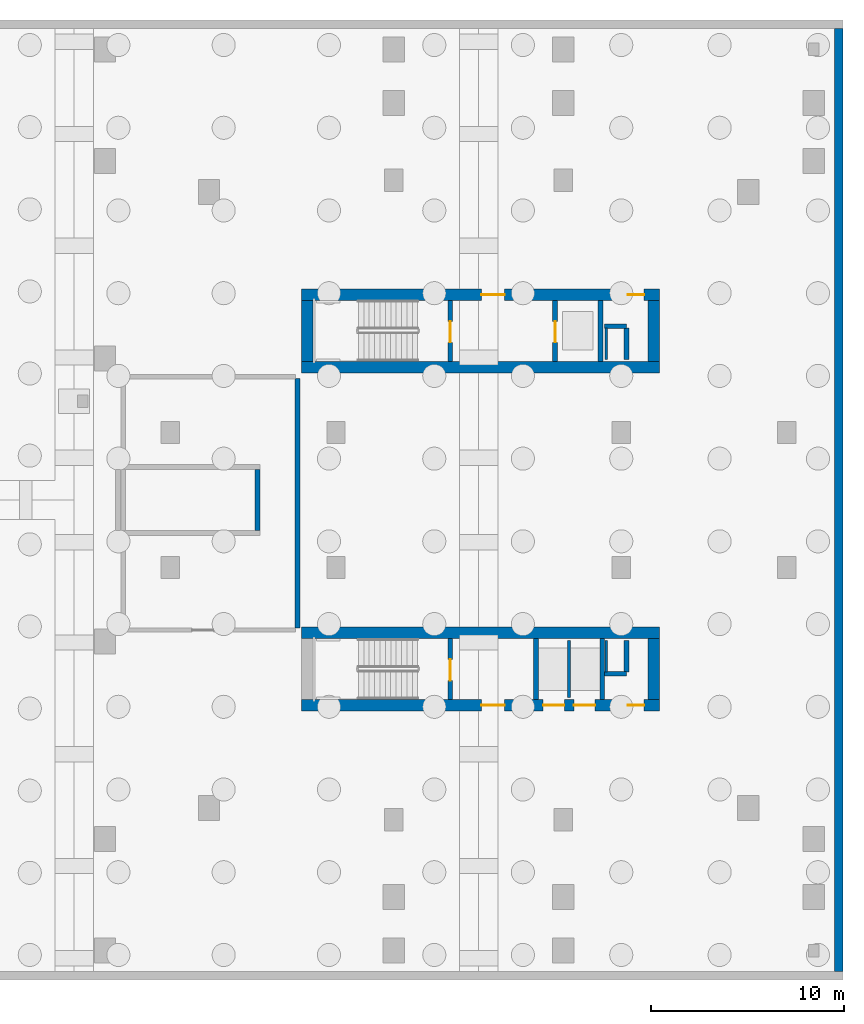
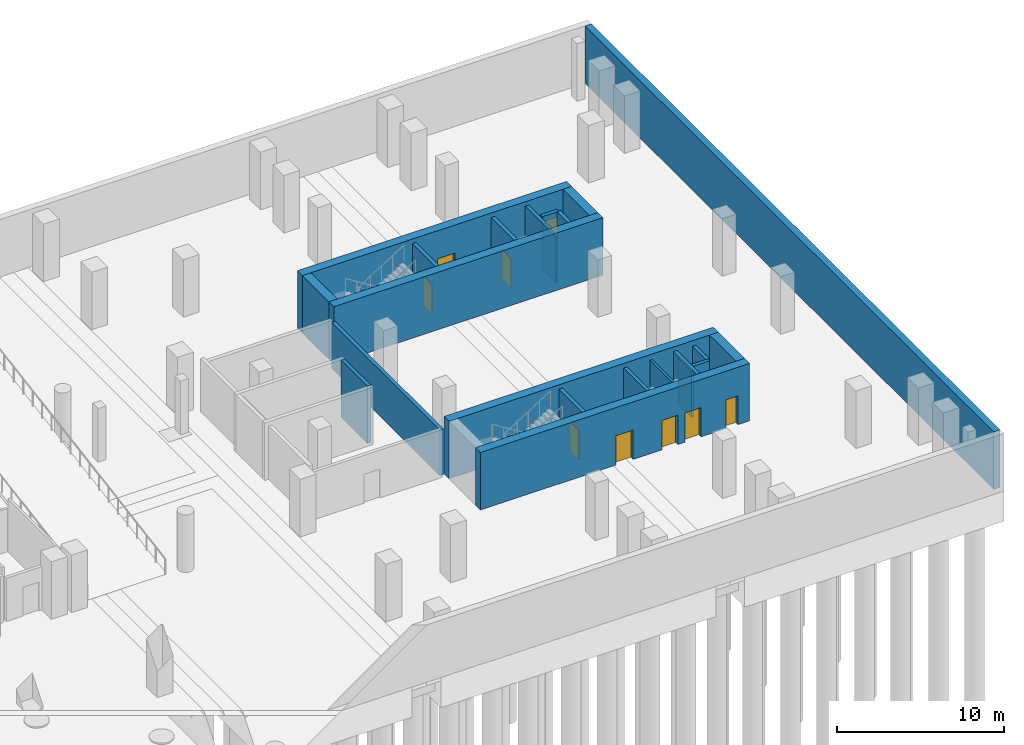
# One storey, part 8 of 14: 23 walls, 9 doors, 9 openings.
"""IFC4 building model written with IfcOpenShell, lengths in metres."""

from ifc_helpers import new_model, si_unit, derived_unit, direction, frame, frame_2d, origin, place, context, subcontext, project, spatial, rectangle, extrude, material, layer, layer_set, type_object, element, fill, save


model = new_model("IFC4")

# Units and contexts
model_context = context("Model", 3, precision=1e-05, world=origin(), true_north=direction((0.0, 1.0)))
body_context = subcontext(model_context, "Body", "Model", "MODEL_VIEW")
ifc_project = project(units=[si_unit("LENGTHUNIT", "METRE"), si_unit("AREAUNIT", "SQUARE_METRE"), si_unit("VOLUMEUNIT", "CUBIC_METRE"), si_unit("PLANEANGLEUNIT", "RADIAN"), si_unit("MASSUNIT", "GRAM", prefix="KILO"), derived_unit("THERMALTRANSMITTANCEUNIT", [(si_unit("POWERUNIT", "WATT"), 1), (si_unit("LENGTHUNIT", "METRE"), -2), (si_unit("THERMODYNAMICTEMPERATUREUNIT", "KELVIN"), -1)])], contexts=[model_context])

# Site, building, storey
site_placement = place(None, origin())
site = spatial("IfcSite", under=ifc_project, at=site_placement, CompositionType="ELEMENT")
building_placement = place(site_placement, origin())
building = spatial("IfcBuilding", under=site, at=building_placement, Name="Kivonza Crest Hotel", CompositionType="ELEMENT")
storey_placement = place(building_placement, frame((0.0, 0.0, -8.39990234375)))
storey = spatial("IfcBuildingStorey", under=building, at=storey_placement, Name="B2", CompositionType="ELEMENT", Elevation=-8.39990234375)

# Wall
ifc_material_1 = material(Name="Concrete C60/75", Category="concrete")
ifc_layer_1 = layer(ifc_material_1, 0.60009765625)
ifc_layer_set_1 = layer_set([ifc_layer_1], Name="Concrete C60/75")
wall_type_1 = type_object("IfcWallType", Name="WL-CORE-600", PredefinedType="SHEAR", material=ifc_layer_set_1)
wall_1_placement = place(storey_placement, frame((67.800048828125, 31.89990234375, 0.0), z_axis=(0.0, 0.0, 1.0), x_axis=(1.0, 0.0, 0.0)))
element("IfcWall", 1, at=wall_1_placement, inside=storey, type_object=wall_type_1, Name="Core wall T2-N South B2", PredefinedType="SHEAR", context=body_context, shape_type="SweptSolid", body=[
    extrude(rectangle(XDim=18.599853515625, YDim=0.60009765625, at=frame_2d((9.2998046875, 0.0))), origin(), (0.0, 0.0, 1.0), 4.199951171875),
])

# Wall, openings, doors
wall_2_placement = place(storey_placement, frame((67.800048828125, 35.659912109375, 0.0), z_axis=(0.0, 0.0, 1.0), x_axis=(1.0, 0.0, 0.0)))
wall_2 = element("IfcWall", 2, at=wall_2_placement, inside=storey, type_object=wall_type_1, Name="Core wall T2-N North B2", PredefinedType="SHEAR", context=body_context, shape_type="SweptSolid", body=[
    extrude(rectangle(XDim=18.599853515625, YDim=0.60009765625, at=frame_2d((9.2998046875, 0.0))), origin(), (0.0, 0.0, 1.0), 4.199951171875),
])
opening_1_placement = place(wall_2_placement, frame((9.35009765625, 0.0, 0.0)))
opening_1 = element("IfcOpeningElement", 3, at=opening_1_placement, cuts=wall_2, Name="Opening DF-60", PredefinedType="OPENING", context=body_context, shape_type="SweptSolid", body=[
    extrude(rectangle(XDim=1.199951171875, YDim=2.14990234375, at=frame_2d((0.60009765625, 1.074951171875))), frame((0.0, 0.31005859375, 0.0), z_axis=(0.0, -1.0, 0.0), x_axis=(1.0, 0.0, 0.0)), (0.0, 0.0, 1.0), 0.6201171875),
])
opening_2_placement = place(wall_2_placement, frame((16.949951171875, 0.0, 0.0)))
opening_2 = element("IfcOpeningElement", 4, at=opening_2_placement, cuts=wall_2, Name="Opening DF-60R", PredefinedType="OPENING", context=body_context, shape_type="SweptSolid", body=[
    extrude(rectangle(XDim=0.85009765625, YDim=2.10009765625, at=frame_2d((0.425048828125, 1.050048828125))), frame((0.0, 0.31005859375, 0.0), z_axis=(0.0, -1.0, 0.0), x_axis=(1.0, 0.0, 0.0)), (0.0, 0.0, 1.0), 0.6201171875),
])
ifc_material_2 = material(Name="Hardwood timber oak", Category="wood")
door_type_1 = type_object("IfcDoorType", Name="DR-FD60-1200", OperationType="NOTDEFINED", PredefinedType="DOOR", material=ifc_material_2)
door_1_placement = place(opening_1_placement, origin())
door_1 = element("IfcDoor", 5, at=door_1_placement, inside=storey, type_object=door_type_1, Name="B2 T2-N firefighting lobby fire door", OperationType="SINGLE_SWING_RIGHT", OverallHeight=2.14990234375, OverallWidth=1.199951171875, PredefinedType="DOOR", context=body_context, shape_type="SweptSolid", body=[
    extrude(rectangle(XDim=1.199951171875, YDim=2.14990234375, at=frame_2d((0.60009765625, 1.074951171875))), frame((0.0, 0.02490234375, 0.0), z_axis=(0.0, -1.0, 0.0), x_axis=(1.0, 0.0, 0.0)), (0.0, 0.0, 1.0), 0.050048828125),
])
fill(opening_1, door_1)
door_type_2 = type_object("IfcDoorType", Name="DR-FD60-850", OperationType="NOTDEFINED", PredefinedType="DOOR", material=ifc_material_2)
door_2_placement = place(opening_2_placement, origin())
door_2 = element("IfcDoor", 6, at=door_2_placement, inside=storey, type_object=door_type_2, Name="B2 T2-N core room door", OperationType="SINGLE_SWING_RIGHT", OverallHeight=2.10009765625, OverallWidth=0.85009765625, PredefinedType="DOOR", context=body_context, shape_type="SweptSolid", body=[
    extrude(rectangle(XDim=0.85009765625, YDim=2.10009765625, at=frame_2d((0.425048828125, 1.050048828125))), frame((0.0, 0.02490234375, 0.0), z_axis=(0.0, -1.0, 0.0), x_axis=(1.0, 0.0, 0.0)), (0.0, 0.0, 1.0), 0.050048828125),
])
fill(opening_2, door_2)

# Walls
for number, where, z_axis, x_axis, name in (
    (7, (68.10009765625, 32.199951171875, 0.0), (0.0, 0.0, 1.0), (0.0, 1.0, 0.0), "Core wall T2-N West B2"),
    (8, (86.10009765625, 32.199951171875, 0.0), (0.0, 0.0, 1.0), (0.0, 1.0, 0.0), "Core wall T2-N East B2"),
):
    element("IfcWall", number, at=place(storey_placement, frame(where, z_axis=z_axis, x_axis=x_axis)), inside=storey, type_object=wall_type_1, Name=name, PredefinedType="SHEAR", context=body_context, shape_type="SweptSolid", body=[
        extrude(rectangle(XDim=3.16015625, YDim=0.60009765625, at=frame_2d((1.580078125, 0.0))), origin(), (0.0, 0.0, 1.0), 4.199951171875),
    ])

# Wall, openings, doors
wall_3_placement = place(storey_placement, frame((67.800048828125, 14.340087890625, 0.0), z_axis=(0.0, 0.0, 1.0), x_axis=(1.0, 0.0, 0.0)))
wall_3 = element("IfcWall", 9, at=wall_3_placement, inside=storey, type_object=wall_type_1, Name="Core wall T2-S South B2", PredefinedType="SHEAR", context=body_context, shape_type="SweptSolid", body=[
    extrude(rectangle(XDim=18.599853515625, YDim=0.60009765625, at=frame_2d((9.2998046875, 0.0))), origin(), (0.0, 0.0, 1.0), 4.199951171875),
])
opening_3_placement = place(wall_3_placement, frame((9.35009765625, 0.0, 0.0)))
opening_3 = element("IfcOpeningElement", 10, at=opening_3_placement, cuts=wall_3, Name="Opening DF-60", PredefinedType="OPENING", context=body_context, shape_type="SweptSolid", body=[
    extrude(rectangle(XDim=1.199951171875, YDim=2.14990234375, at=frame_2d((0.60009765625, 1.074951171875))), frame((0.0, 0.31005859375, 0.0), z_axis=(0.0, -1.0, 0.0), x_axis=(1.0, 0.0, 0.0)), (0.0, 0.0, 1.0), 0.6201171875),
])
opening_4_placement = place(wall_3_placement, frame((16.949951171875, 0.0, 0.0)))
opening_4 = element("IfcOpeningElement", 11, at=opening_4_placement, cuts=wall_3, Name="Opening DF-60R", PredefinedType="OPENING", context=body_context, shape_type="SweptSolid", body=[
    extrude(rectangle(XDim=0.85009765625, YDim=2.10009765625, at=frame_2d((0.425048828125, 1.050048828125))), frame((0.0, 0.31005859375, 0.0), z_axis=(0.0, -1.0, 0.0), x_axis=(1.0, 0.0, 0.0)), (0.0, 0.0, 1.0), 0.6201171875),
])
opening_5_placement = place(wall_3_placement, frame((12.550048828125, 0.0, 0.0)))
opening_5 = element("IfcOpeningElement", 12, at=opening_5_placement, cuts=wall_3, Name="Opening LD-120", PredefinedType="OPENING", context=body_context, shape_type="SweptSolid", body=[
    extrude(rectangle(XDim=1.10009765625, YDim=2.14990234375, at=frame_2d((0.550048828125, 1.074951171875))), frame((0.0, 0.31005859375, 0.0), z_axis=(0.0, -1.0, 0.0), x_axis=(1.0, 0.0, 0.0)), (0.0, 0.0, 1.0), 0.6201171875),
])
opening_6_placement = place(wall_3_placement, frame((14.14990234375, 0.0, 0.0)))
opening_6 = element("IfcOpeningElement", 13, at=opening_6_placement, cuts=wall_3, Name="Opening LD-120", PredefinedType="OPENING", context=body_context, shape_type="SweptSolid", body=[
    extrude(rectangle(XDim=1.10009765625, YDim=2.14990234375, at=frame_2d((0.550048828125, 1.074951171875))), frame((0.0, 0.31005859375, 0.0), z_axis=(0.0, -1.0, 0.0), x_axis=(1.0, 0.0, 0.0)), (0.0, 0.0, 1.0), 0.6201171875),
])
door_3_placement = place(opening_3_placement, frame((1.199951171875, 0.0, 0.0), z_axis=(0.0, 0.0, 1.0), x_axis=(-1.0, 0.0, 0.0)))
door_3 = element("IfcDoor", 14, at=door_3_placement, inside=storey, type_object=door_type_1, Name="B2 T2-S firefighting lobby fire door", OperationType="SINGLE_SWING_LEFT", OverallHeight=2.14990234375, OverallWidth=1.199951171875, PredefinedType="DOOR", context=body_context, shape_type="SweptSolid", body=[
    extrude(rectangle(XDim=1.199951171875, YDim=2.14990234375, at=frame_2d((0.60009765625, 1.074951171875))), frame((0.0, 0.02490234375, 0.0), z_axis=(0.0, -1.0, 0.0), x_axis=(1.0, 0.0, 0.0)), (0.0, 0.0, 1.0), 0.050048828125),
])
fill(opening_3, door_3)
door_4_placement = place(opening_4_placement, frame((0.85009765625, 0.0, 0.0), z_axis=(0.0, 0.0, 1.0), x_axis=(-1.0, 0.0, 0.0)))
door_4 = element("IfcDoor", 15, at=door_4_placement, inside=storey, type_object=door_type_2, Name="B2 T2-S core room door", OperationType="SINGLE_SWING_RIGHT", OverallHeight=2.10009765625, OverallWidth=0.85009765625, PredefinedType="DOOR", context=body_context, shape_type="SweptSolid", body=[
    extrude(rectangle(XDim=0.85009765625, YDim=2.10009765625, at=frame_2d((0.425048828125, 1.050048828125))), frame((0.0, 0.02490234375, 0.0), z_axis=(0.0, -1.0, 0.0), x_axis=(1.0, 0.0, 0.0)), (0.0, 0.0, 1.0), 0.050048828125),
])
fill(opening_4, door_4)
ifc_material_3 = material(Name="Stainless steel", Category="steel")
door_type_3 = type_object("IfcDoorType", Name="DR-LD120-1100", OperationType="NOTDEFINED", PredefinedType="DOOR", material=ifc_material_3)
door_5_placement = place(opening_5_placement, frame((1.10009765625, 0.0, 0.0), z_axis=(0.0, 0.0, 1.0), x_axis=(-1.0, 0.0, 0.0)))
door_5 = element("IfcDoor", 16, at=door_5_placement, inside=storey, type_object=door_type_3, Name="B2 PL-T2-1 passenger lift sliding landing door", OperationType="DOUBLE_DOOR_SLIDING", OverallHeight=2.14990234375, OverallWidth=1.10009765625, PredefinedType="DOOR", context=body_context, shape_type="SweptSolid", body=[
    extrude(rectangle(XDim=1.10009765625, YDim=2.14990234375, at=frame_2d((0.550048828125, 1.074951171875))), frame((0.0, 0.02490234375, 0.0), z_axis=(0.0, -1.0, 0.0), x_axis=(1.0, 0.0, 0.0)), (0.0, 0.0, 1.0), 0.050048828125),
])
fill(opening_5, door_5)
door_6_placement = place(opening_6_placement, frame((1.10009765625, 0.0, 0.0), z_axis=(0.0, 0.0, 1.0), x_axis=(-1.0, 0.0, 0.0)))
door_6 = element("IfcDoor", 17, at=door_6_placement, inside=storey, type_object=door_type_3, Name="B2 PL-T2-2 passenger lift sliding landing door", OperationType="DOUBLE_DOOR_SLIDING", OverallHeight=2.14990234375, OverallWidth=1.10009765625, PredefinedType="DOOR", context=body_context, shape_type="SweptSolid", body=[
    extrude(rectangle(XDim=1.10009765625, YDim=2.14990234375, at=frame_2d((0.550048828125, 1.074951171875))), frame((0.0, 0.02490234375, 0.0), z_axis=(0.0, -1.0, 0.0), x_axis=(1.0, 0.0, 0.0)), (0.0, 0.0, 1.0), 0.050048828125),
])
fill(opening_6, door_6)

# Walls
wall_4_placement = place(storey_placement, frame((67.800048828125, 18.10009765625, 0.0), z_axis=(0.0, 0.0, 1.0), x_axis=(1.0, 0.0, 0.0)))
element("IfcWall", 18, at=wall_4_placement, inside=storey, type_object=wall_type_1, Name="Core wall T2-S North B2", PredefinedType="SHEAR", context=body_context, shape_type="SweptSolid", body=[
    extrude(rectangle(XDim=18.599853515625, YDim=0.60009765625, at=frame_2d((9.2998046875, 0.0))), origin(), (0.0, 0.0, 1.0), 4.199951171875),
])
wall_5_placement = place(storey_placement, frame((86.10009765625, 14.639892578125, 0.0), z_axis=(0.0, 0.0, 1.0), x_axis=(0.0, 1.0, 0.0)))
element("IfcWall", 19, at=wall_5_placement, inside=storey, type_object=wall_type_1, Name="Core wall T2-S East B2", PredefinedType="SHEAR", context=body_context, shape_type="SweptSolid", body=[
    extrude(rectangle(XDim=3.16015625, YDim=0.60009765625, at=frame_2d((1.580078125, 0.0))), origin(), (0.0, 0.0, 1.0), 4.199951171875),
])
ifc_material_4 = material(Name="Concrete blockwork fire-compartment wall", Category="masonry")
ifc_layer_2 = layer(ifc_material_4, 0.25)
ifc_layer_set_2 = layer_set([ifc_layer_2], Name="Concrete blockwork fire-compartment wall")
wall_type_2 = type_object("IfcWallType", Name="WL-FIRE-250", PredefinedType="SOLIDWALL", material=ifc_layer_set_2)
wall_6_placement = place(storey_placement, frame((84.679931640625, 32.300048828125, 0.0), z_axis=(0.0, 0.0, 1.0), x_axis=(0.0, 1.0, 0.0)))
element("IfcWall", 20, at=wall_6_placement, inside=storey, type_object=wall_type_2, Name="B2 interior partition WA-B2-T2-N-MEPR-E", PredefinedType="SOLIDWALL", context=body_context, shape_type="SweptSolid", body=[
    extrude(rectangle(XDim=1.619873046875, YDim=0.25, at=frame_2d((0.81005859375, 0.0))), origin(), (0.0, 0.0, 1.0), 3.8798828125),
])
wall_7_placement = place(storey_placement, frame((83.550048828125, 34.02001953125, 0.0), z_axis=(0.0, 0.0, 1.0), x_axis=(1.0, 0.0, 0.0)))
element("IfcWall", 21, at=wall_7_placement, inside=storey, type_object=wall_type_2, Name="B2 interior partition WA-B2-T2-N-MEPR-H", PredefinedType="SOLIDWALL", context=body_context, shape_type="SweptSolid", body=[
    extrude(rectangle(XDim=1.1298828125, YDim=0.25, at=frame_2d((0.56494140625, 0.0))), origin(), (0.0, 0.0, 1.0), 3.8798828125),
])
wall_8_placement = place(storey_placement, frame((84.679931640625, 16.080078125, 0.0), z_axis=(0.0, 0.0, 1.0), x_axis=(0.0, 1.0, 0.0)))
element("IfcWall", 22, at=wall_8_placement, inside=storey, type_object=wall_type_2, Name="B2 interior partition WA-B2-T2-S-MEPR-E", PredefinedType="SOLIDWALL", context=body_context, shape_type="SweptSolid", body=[
    extrude(rectangle(XDim=1.619873046875, YDim=0.25, at=frame_2d((0.81005859375, 0.0))), origin(), (0.0, 0.0, 1.0), 3.8798828125),
])
wall_9_placement = place(storey_placement, frame((83.550048828125, 15.97998046875, 0.0), z_axis=(0.0, 0.0, 1.0), x_axis=(1.0, 0.0, 0.0)))
element("IfcWall", 23, at=wall_9_placement, inside=storey, type_object=wall_type_2, Name="B2 interior partition WA-B2-T2-S-MEPR-H", PredefinedType="SOLIDWALL", context=body_context, shape_type="SweptSolid", body=[
    extrude(rectangle(XDim=1.1298828125, YDim=0.25, at=frame_2d((0.56494140625, 0.0))), origin(), (0.0, 0.0, 1.0), 3.8798828125),
])
wall_10_placement = place(storey_placement, frame((67.60009765625, 18.35009765625, 0.0), z_axis=(0.0, 0.0, 1.0), x_axis=(0.0, 1.0, 0.0)))
element("IfcWall", 24, at=wall_10_placement, inside=storey, type_object=wall_type_2, Name="B2 interior partition WP-B2-T2PL-BE", PredefinedType="SOLIDWALL", context=body_context, shape_type="SweptSolid", body=[
    extrude(rectangle(XDim=12.949951171875, YDim=0.25, at=frame_2d((6.47509765625, 0.0))), origin(), (0.0, 0.0, 1.0), 3.35498046875),
])
ifc_material_5 = material(Name="Twin-stud acoustic gypsum board partition", Category="gypsum")
ifc_layer_3 = layer(ifc_material_5, 0.14990234375)
ifc_layer_set_3 = layer_set([ifc_layer_3], Name="Twin-stud acoustic gypsum board partition")
wall_type_3 = type_object("IfcWallType", Name="WL-PART-150", PredefinedType="PARTITIONING", material=ifc_layer_set_3)
for number, where, z_axis, x_axis, name in (
    (25, (83.6298828125, 32.300048828125, 0.0), (0.0, 0.0, 1.0), (0.0, 1.0, 0.0), "B2 interior partition WA-B2-T2-N-MEPR-W"),
    (26, (83.6298828125, 16.080078125, 0.0), (0.0, 0.0, 1.0), (0.0, 1.0, 0.0), "B2 interior partition WA-B2-T2-S-MEPR-W"),
):
    element("IfcWall", number, at=place(storey_placement, frame(where, z_axis=z_axis, x_axis=x_axis)), inside=storey, type_object=wall_type_3, Name=name, PredefinedType="PARTITIONING", context=body_context, shape_type="SweptSolid", body=[
        extrude(rectangle(XDim=1.619873046875, YDim=0.14990234375, at=frame_2d((0.81005859375, 0.0))), origin(), (0.0, 0.0, 1.0), 3.35498046875),
    ])
wall_11_placement = place(storey_placement, frame((81.699951171875, 14.739990234375, 0.0), z_axis=(0.0, 0.0, 1.0), x_axis=(0.0, 1.0, 0.0)))
element("IfcWall", 27, at=wall_11_placement, inside=storey, type_object=wall_type_3, Name="B2 interior partition WP-B2-T2-S-BSH-1", PredefinedType="PARTITIONING", context=body_context, shape_type="SweptSolid", body=[
    extrude(rectangle(XDim=2.9599609375, YDim=0.14990234375, at=frame_2d((1.47998046875, 0.0))), origin(), (0.0, 0.0, 1.0), 3.8798828125),
])
ifc_material_6 = material(Name="Concrete C40/50", Category="concrete")
ifc_layer_4 = layer(ifc_material_6, 0.449951171875)
ifc_layer_set_4 = layer_set([ifc_layer_4], Name="Concrete C40/50")
wall_type_4 = type_object("IfcWallType", Name="WL-RET-450", PredefinedType="USERDEFINED", material=ifc_layer_set_4)
wall_12_placement = place(storey_placement, frame((95.695068359375, 0.530029296875, 0.0), z_axis=(0.0, 0.0, 1.0), x_axis=(0.0, 1.0, 0.0)))
element("IfcWall", 28, at=wall_12_placement, inside=storey, type_object=wall_type_4, Name="B2 East basement retaining wall", ObjectType="RETAININGWALL", PredefinedType="USERDEFINED", context=body_context, shape_type="SweptSolid", body=[
    extrude(rectangle(XDim=48.93994140625, YDim=0.449951171875, at=frame_2d((24.469970703125, 0.0))), origin(), (0.0, 0.0, 1.0), 4.199951171875),
])

# Wall, opening, door
ifc_material_7 = material(Name="Concrete C50/60", Category="concrete")
ifc_layer_5 = layer(ifc_material_7, 0.25)
ifc_layer_set_5 = layer_set([ifc_layer_5], Name="Concrete C50/60")
wall_type_5 = type_object("IfcWallType", Name="WL-SHAFT-250", PredefinedType="STANDARD", material=ifc_layer_set_5)
wall_13_placement = place(storey_placement, frame((75.52490234375, 32.199951171875, 0.0), z_axis=(0.0, 0.0, 1.0), x_axis=(0.0, 1.0, 0.0)))
wall_13 = element("IfcWall", 29, at=wall_13_placement, inside=storey, type_object=wall_type_5, Name="Core shaft wall T2-N STAIR B2", PredefinedType="STANDARD", context=body_context, shape_type="SweptSolid", body=[
    extrude(rectangle(XDim=3.16015625, YDim=0.25, at=frame_2d((1.580078125, 0.0))), origin(), (0.0, 0.0, 1.0), 3.8798828125),
])
opening_7_placement = place(wall_13_placement, frame((0.97998046875, 0.0, 0.0)))
opening_7 = element("IfcOpeningElement", 30, at=opening_7_placement, cuts=wall_13, Name="Opening DF-120", PredefinedType="OPENING", context=body_context, shape_type="SweptSolid", body=[
    extrude(rectangle(XDim=1.10009765625, YDim=2.14990234375, at=frame_2d((0.550048828125, 1.074951171875))), frame((0.0, 0.135009765625, 0.0), z_axis=(0.0, -1.0, 0.0), x_axis=(1.0, 0.0, 0.0)), (0.0, 0.0, 1.0), 0.27001953125),
])
ifc_material_8 = material(Name="Galvanised steel", Category="steel")
door_type_4 = type_object("IfcDoorType", Name="DR-FD120-1100", OperationType="NOTDEFINED", PredefinedType="DOOR", material=ifc_material_8)
door_7_placement = place(opening_7_placement, frame((1.10009765625, 0.0, 0.0), z_axis=(0.0, 0.0, 1.0), x_axis=(-1.0, 0.0, 0.0)))
door_7 = element("IfcDoor", 31, at=door_7_placement, inside=storey, type_object=door_type_4, Name="B2 T2-N stair fire door", OperationType="SINGLE_SWING_LEFT", OverallHeight=2.14990234375, OverallWidth=1.10009765625, PredefinedType="DOOR", context=body_context, shape_type="SweptSolid", body=[
    extrude(rectangle(XDim=1.10009765625, YDim=2.14990234375, at=frame_2d((0.550048828125, 1.074951171875))), frame((0.0, 0.02490234375, 0.0), z_axis=(0.0, -1.0, 0.0), x_axis=(1.0, 0.0, 0.0)), (0.0, 0.0, 1.0), 0.050048828125),
])
fill(opening_7, door_7)

wall_14_placement = place(storey_placement, frame((80.97509765625, 32.199951171875, 0.0), z_axis=(0.0, 0.0, 1.0), x_axis=(0.0, 1.0, 0.0)))
wall_14 = element("IfcWall", 32, at=wall_14_placement, inside=storey, type_object=wall_type_5, Name="Core shaft wall T2-N FFL-W B2", PredefinedType="STANDARD", context=body_context, shape_type="SweptSolid", body=[
    extrude(rectangle(XDim=3.16015625, YDim=0.25, at=frame_2d((1.580078125, 0.0))), origin(), (0.0, 0.0, 1.0), 3.8798828125),
])
opening_8_placement = place(wall_14_placement, frame((0.97998046875, 0.0, 0.0)))
opening_8 = element("IfcOpeningElement", 33, at=opening_8_placement, cuts=wall_14, Name="Opening LD-120", PredefinedType="OPENING", context=body_context, shape_type="SweptSolid", body=[
    extrude(rectangle(XDim=1.10009765625, YDim=2.14990234375, at=frame_2d((0.550048828125, 1.074951171875))), frame((0.0, 0.135009765625, 0.0), z_axis=(0.0, -1.0, 0.0), x_axis=(1.0, 0.0, 0.0)), (0.0, 0.0, 1.0), 0.27001953125),
])
door_8_placement = place(opening_8_placement, origin())
door_8 = element("IfcDoor", 34, at=door_8_placement, inside=storey, type_object=door_type_3, Name="B2 FFL-T2 firefighting lift sliding landing door", OperationType="DOUBLE_DOOR_SLIDING", OverallHeight=2.14990234375, OverallWidth=1.10009765625, PredefinedType="DOOR", context=body_context, shape_type="SweptSolid", body=[
    extrude(rectangle(XDim=1.10009765625, YDim=2.14990234375, at=frame_2d((0.550048828125, 1.074951171875))), frame((0.0, 0.02490234375, 0.0), z_axis=(0.0, -1.0, 0.0), x_axis=(1.0, 0.0, 0.0)), (0.0, 0.0, 1.0), 0.050048828125),
])
fill(opening_8, door_8)

# Wall
wall_15_placement = place(storey_placement, frame((83.324951171875, 32.199951171875, 0.0), z_axis=(0.0, 0.0, 1.0), x_axis=(0.0, 1.0, 0.0)))
element("IfcWall", 35, at=wall_15_placement, inside=storey, type_object=wall_type_5, Name="Core shaft wall T2-N FFL-E B2", PredefinedType="STANDARD", context=body_context, shape_type="SweptSolid", body=[
    extrude(rectangle(XDim=3.16015625, YDim=0.25, at=frame_2d((1.580078125, 0.0))), origin(), (0.0, 0.0, 1.0), 3.8798828125),
])

# Wall, opening, door
wall_16_placement = place(storey_placement, frame((75.52490234375, 14.639892578125, 0.0), z_axis=(0.0, 0.0, 1.0), x_axis=(0.0, 1.0, 0.0)))
wall_16 = element("IfcWall", 36, at=wall_16_placement, inside=storey, type_object=wall_type_5, Name="Core shaft wall T2-S STAIR B2", PredefinedType="STANDARD", context=body_context, shape_type="SweptSolid", body=[
    extrude(rectangle(XDim=3.16015625, YDim=0.25, at=frame_2d((1.580078125, 0.0))), origin(), (0.0, 0.0, 1.0), 3.8798828125),
])
opening_9_placement = place(wall_16_placement, frame((0.97998046875, 0.0, 0.0)))
opening_9 = element("IfcOpeningElement", 37, at=opening_9_placement, cuts=wall_16, Name="Opening DF-120", PredefinedType="OPENING", context=body_context, shape_type="SweptSolid", body=[
    extrude(rectangle(XDim=1.10009765625, YDim=2.14990234375, at=frame_2d((0.550048828125, 1.074951171875))), frame((0.0, 0.135009765625, 0.0), z_axis=(0.0, -1.0, 0.0), x_axis=(1.0, 0.0, 0.0)), (0.0, 0.0, 1.0), 0.27001953125),
])
door_9_placement = place(opening_9_placement, frame((1.10009765625, 0.0, 0.0), z_axis=(0.0, 0.0, 1.0), x_axis=(-1.0, 0.0, 0.0)))
door_9 = element("IfcDoor", 38, at=door_9_placement, inside=storey, type_object=door_type_4, Name="B2 T2-S stair fire door", OperationType="SINGLE_SWING_RIGHT", OverallHeight=2.14990234375, OverallWidth=1.10009765625, PredefinedType="DOOR", context=body_context, shape_type="SweptSolid", body=[
    extrude(rectangle(XDim=1.10009765625, YDim=2.14990234375, at=frame_2d((0.550048828125, 1.074951171875))), frame((0.0, 0.02490234375, 0.0), z_axis=(0.0, -1.0, 0.0), x_axis=(1.0, 0.0, 0.0)), (0.0, 0.0, 1.0), 0.050048828125),
])
fill(opening_9, door_9)

# Walls
for number, where, z_axis, x_axis, name in (
    (39, (79.97509765625, 14.639892578125, 0.0), (0.0, 0.0, 1.0), (0.0, 1.0, 0.0), "Core shaft wall T2-S BANK-W B2"),
    (40, (83.425048828125, 14.639892578125, 0.0), (0.0, 0.0, 1.0), (0.0, 1.0, 0.0), "Core shaft wall T2-S BANK-E B2"),
):
    element("IfcWall", number, at=place(storey_placement, frame(where, z_axis=z_axis, x_axis=x_axis)), inside=storey, type_object=wall_type_5, Name=name, PredefinedType="STANDARD", context=body_context, shape_type="SweptSolid", body=[
        extrude(rectangle(XDim=3.16015625, YDim=0.25, at=frame_2d((1.580078125, 0.0))), origin(), (0.0, 0.0, 1.0), 3.8798828125),
    ])
wall_17_placement = place(storey_placement, frame((65.52490234375, 23.419921875, 0.0), z_axis=(0.0, 0.0, 1.0), x_axis=(0.0, 1.0, 0.0)))
element("IfcWall", 41, at=wall_17_placement, inside=storey, type_object=wall_type_5, Name="Podium stair enclosure wall ST-POD-E E B2", PredefinedType="STANDARD", context=body_context, shape_type="SweptSolid", body=[
    extrude(rectangle(XDim=3.16015625, YDim=0.25, at=frame_2d((1.580078125, 0.0))), origin(), (0.0, 0.0, 1.0), 4.199951171875),
])

save(model, "model.ifc")
